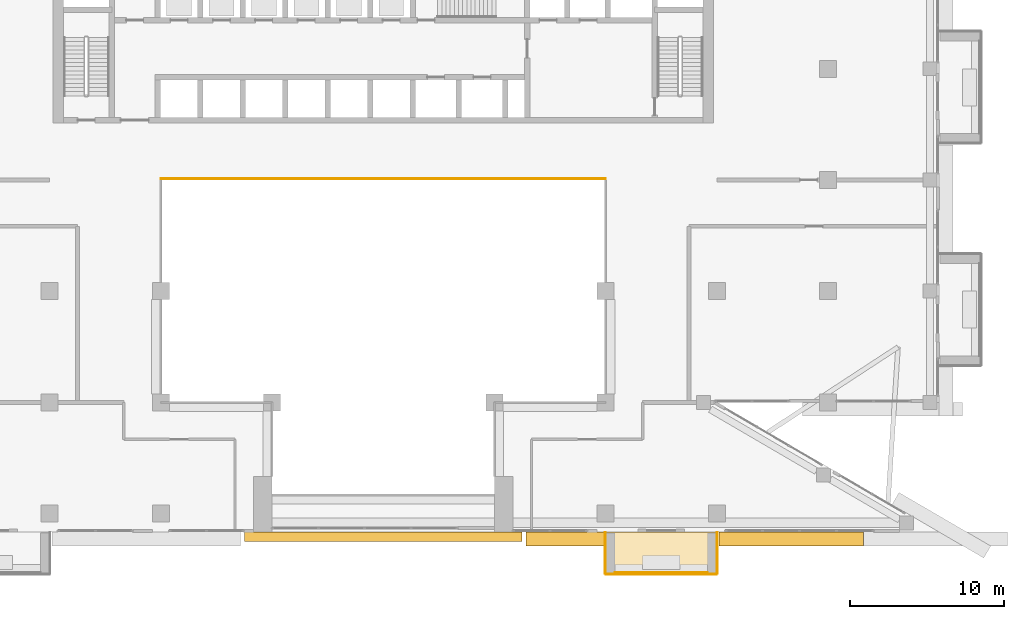
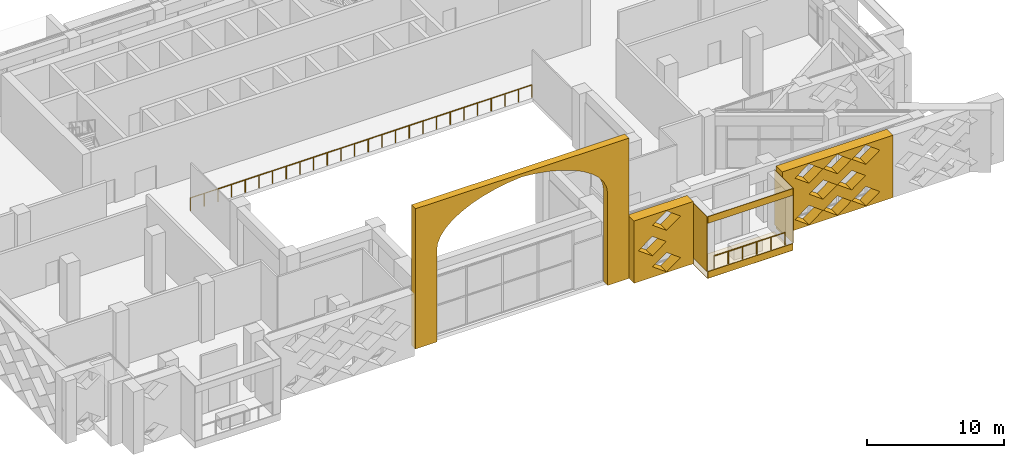
# One storey, part 20 of 25: 8 coverings, 2 railings.
"""IFC4 building model written with IfcOpenShell, lengths in metres."""

import ifcopenshell
import ifcopenshell.guid

model = None  # the IFC model being written
_history = None  # IfcOwnerHistory: only IFC2X3 demands one
_inside = {}  # id of a spatial element -> (the spatial element, [elements in it])
_under = {}  # id of a project, library or spatial element -> (it, [spatial elements below it])
_declared = {}  # id of a project -> (the project, [libraries it declares])
_typed = {}  # id of a type object -> (the type object, [elements of that type])
_made_of = {}  # id of a material, layer set ... -> (it, [elements and type objects made of it])


def new_model(schema):
    """Start an empty IFC model of exactly this schema.

    Asked for "IFC4X3", IfcOpenShell would pick the latest addendum, in which some entities
    have other attributes; the version numbers below select the first issue.
    IFC2X3 requires an IfcOwnerHistory on every rooted entity: one is made here for all.
    """
    global model, _history
    if schema == "IFC4X3":
        model = ifcopenshell.file(schema_version=(4, 3, 0, 0))
    else:
        model = ifcopenshell.file(schema=schema)
    _inside.clear()
    _under.clear()
    _declared.clear()
    _typed.clear()
    _made_of.clear()
    _history = None
    if model.schema == "IFC2X3":
        org = make("IfcOrganization", Name="unknown")
        user = make(
            "IfcPersonAndOrganization",
            ThePerson=make("IfcPerson", FamilyName="unknown"),
            TheOrganization=org,
        )
        app = make(
            "IfcApplication",
            ApplicationDeveloper=org,
            Version="unknown",
            ApplicationFullName="unknown",
            ApplicationIdentifier="unknown",
        )
        _history = make(
            "IfcOwnerHistory",
            OwningUser=user,
            OwningApplication=app,
            ChangeAction="ADDED",
            CreationDate=0,
        )
    return model


def make(cls, **values):
    """One entity of the class cls with the attributes given. An attribute that is None is left unset."""
    return model.create_entity(
        cls, **{name: value for name, value in values.items() if value is not None}
    )


def rooted(cls, **values):
    """An entity with a GlobalId (a new one), such as an element, a storey or a relation."""
    return make(cls, GlobalId=ifcopenshell.guid.new(), OwnerHistory=_history, **values)


def si_unit(unit_type, name, prefix=None):
    """IfcSIUnit, for example si_unit("LENGTHUNIT", "METRE", prefix="MILLI")."""
    return make("IfcSIUnit", UnitType=unit_type, Prefix=prefix, Name=name)


def assignment(units):
    """IfcUnitAssignment: the units of a project."""
    return None if units is None else make("IfcUnitAssignment", Units=units)


def point(xyz):
    """IfcCartesianPoint."""
    return None if xyz is None else make("IfcCartesianPoint", Coordinates=xyz)


def direction(xyz):
    """IfcDirection."""
    return None if xyz is None else make("IfcDirection", DirectionRatios=xyz)


def frame(location, z_axis=None, x_axis=None):
    """IfcAxis2Placement3D, a coordinate frame: its origin and axes. An axis left out is left unset."""
    return make(
        "IfcAxis2Placement3D",
        Location=point(location),
        Axis=direction(z_axis),
        RefDirection=direction(x_axis),
    )


def frame_2d(location, x_axis=None):
    """IfcAxis2Placement2D, a coordinate frame in the plane: its origin and x axis."""
    return make(
        "IfcAxis2Placement2D", Location=point(location), RefDirection=direction(x_axis)
    )


def origin():
    """The frame at (0, 0, 0) with its axes left unset."""
    return frame((0.0, 0.0, 0.0))


def origin_2d():
    """The frame at (0, 0) in the plane with its x axis left unset."""
    return frame_2d((0.0, 0.0))


def place(relative_to, where):
    """IfcLocalPlacement: puts the frame where relative to a parent placement (None: the world)."""
    return make(
        "IfcLocalPlacement", PlacementRelTo=relative_to, RelativePlacement=where
    )


def context(
    kind, dimensions, precision=None, world=None, true_north=None, identifier=None
):
    """IfcGeometricRepresentationContext, for example the 3D "Model" context."""
    return make(
        "IfcGeometricRepresentationContext",
        ContextIdentifier=identifier,
        ContextType=kind,
        CoordinateSpaceDimension=dimensions,
        Precision=precision,
        WorldCoordinateSystem=world,
        TrueNorth=true_north,
    )


def subcontext(parent, identifier, kind, view, scale=None):
    """IfcGeometricRepresentationSubContext, for example "Body" below "Model"."""
    return make(
        "IfcGeometricRepresentationSubContext",
        ContextIdentifier=identifier,
        ContextType=kind,
        ParentContext=parent,
        TargetScale=scale,
        TargetView=view,
    )


def project(units=None, contexts=None):
    """IfcProject with its units and contexts."""
    return rooted(
        "IfcProject",
        Name="project",
        RepresentationContexts=contexts,
        UnitsInContext=assignment(units),
    )


def spatial(cls, under=None, at=None, **own):
    """A site, building, storey or space (cls), placed at a placement, below another one or the project."""
    s = rooted(cls, ObjectPlacement=at, **own)
    if under is not None:
        _under.setdefault(under.id(), (under, []))[1].append(s)
    return s


def polyline(points):
    """IfcPolyline through the points."""
    return make("IfcPolyline", Points=[point(p) for p in points])


def profile(cls, at=None, kind="AREA", **sizes):
    """A parametric profile (cls). Its sizes go by their IFC names, for example OverallWidth=200.0."""
    return make(cls, ProfileType=kind, Position=at, **sizes)


def circle(**sizes):
    """IfcCircleProfileDef."""
    return profile("IfcCircleProfileDef", **sizes)


def outline(outer, holes=None, kind="AREA"):
    """IfcArbitraryClosedProfileDef: a profile drawn as a closed curve; with holes, ...WithVoids."""
    if holes is None:
        return make("IfcArbitraryClosedProfileDef", ProfileType=kind, OuterCurve=outer)
    return make(
        "IfcArbitraryProfileDefWithVoids",
        ProfileType=kind,
        OuterCurve=outer,
        InnerCurves=holes,
    )


def extrude(swept, where, along, depth):
    """IfcExtrudedAreaSolid: the profile swept, set in the frame where, extruded along a direction by depth."""
    return make(
        "IfcExtrudedAreaSolid",
        SweptArea=swept,
        Position=where,
        ExtrudedDirection=direction(along),
        Depth=depth,
    )


def shape(context_of_items, identifier, shape_type, items):
    """IfcShapeRepresentation: the items that make up one representation, for example the "Body"."""
    return make(
        "IfcShapeRepresentation",
        ContextOfItems=context_of_items,
        RepresentationIdentifier=identifier,
        RepresentationType=shape_type,
        Items=items,
    )


def material(Name=None, Category=None):
    """IfcMaterial."""
    return make("IfcMaterial", Name=Name, Category=Category)


def layer(
    of_material, thickness, ventilated=None, Name=None, Category=None, Priority=None
):
    """IfcMaterialLayer: one layer of a wall or slab, of a material (None: an air gap)."""
    return make(
        "IfcMaterialLayer",
        Material=of_material,
        LayerThickness=thickness,
        IsVentilated=ventilated,
        Name=Name,
        Category=Category,
        Priority=Priority,
    )


def layer_set(layers, Name=None):
    """IfcMaterialLayerSet."""
    return make("IfcMaterialLayerSet", MaterialLayers=layers, LayerSetName=Name)


def made_of(thing, what):
    """Note that an element or type object is made of a material, layer set ...; save() writes the relation."""
    if what is not None:
        _made_of.setdefault(what.id(), (what, []))[1].append(thing)
    return thing


def type_object(cls, material=None, **own):
    """A type object (cls), such as IfcWallType, which elements share."""
    return made_of(rooted(cls, **own), material)


def element(
    cls,
    number,
    at=None,
    inside=None,
    cuts=None,
    type_object=None,
    material=None,
    context=None,
    identifier="Body",
    shape_type=None,
    held_by="IfcProductDefinitionShape",
    body=None,
    shapes=None,
    **own,
):
    """One element of the class cls, such as IfcWall. Its Tag is "e" and its number.

    at: its placement. inside: the storey or other place that contains it. cuts: it is an
    opening in that element (IfcRelVoidsElement). A single representation is given by context,
    identifier, shape_type and body (its items); several are given by shapes. held_by: the class
    of the entity that holds the representations. save() writes the other relations.
    """
    e = rooted(cls, Tag="e%d" % number, ObjectPlacement=at, **own)
    if body is not None:
        shapes = [shape(context, identifier, shape_type, body)]
    if shapes is not None:
        e.Representation = make(held_by, Representations=shapes)
    if inside is not None:
        _inside.setdefault(inside.id(), (inside, []))[1].append(e)
    if cuts is not None:
        rooted(
            "IfcRelVoidsElement", RelatingBuildingElement=cuts, RelatedOpeningElement=e
        )
    if type_object is not None:
        _typed.setdefault(type_object.id(), (type_object, []))[1].append(e)
    return made_of(e, material)


def aggregate(whole, parts):
    """IfcRelAggregates: a whole, such as a stair, and the parts it consists of."""
    return rooted("IfcRelAggregates", RelatingObject=whole, RelatedObjects=parts)


def save(model, path):
    """Write the relations noted so far, then the file.

    IfcRelAggregates (storeys below a building ...), IfcRelContainedInSpatialStructure (elements
    in a storey), IfcRelDefinesByType, IfcRelAssociatesMaterial and IfcRelDeclares: one each for
    every whole, place, type object, material and project.
    """
    for whole, parts in _under.values():
        aggregate(whole, parts)
    for where, things in _inside.values():
        rooted(
            "IfcRelContainedInSpatialStructure",
            RelatedElements=things,
            RelatingStructure=where,
        )
    for kind, things in _typed.values():
        rooted("IfcRelDefinesByType", RelatedObjects=things, RelatingType=kind)
    for what, things in _made_of.values():
        rooted("IfcRelAssociatesMaterial", RelatedObjects=things, RelatingMaterial=what)
    for by, libraries in _declared.values():
        rooted("IfcRelDeclares", RelatingContext=by, RelatedDefinitions=libraries)
    model.write(path)


model = new_model("IFC4")

# Units and contexts
model_context = context("Model", 3, precision=1e-05, world=origin(), true_north=direction((0.0, 1.0)))
body_context = subcontext(model_context, "Body", "Model", "MODEL_VIEW")
ifc_project = project(units=[si_unit("LENGTHUNIT", "METRE"), si_unit("AREAUNIT", "SQUARE_METRE"), si_unit("VOLUMEUNIT", "CUBIC_METRE"), si_unit("PLANEANGLEUNIT", "RADIAN"), si_unit("MASSUNIT", "GRAM", prefix="KILO")], contexts=[model_context])

# Site, building, storey
site_placement = place(None, origin())
site = spatial("IfcSite", under=ifc_project, at=site_placement, CompositionType="ELEMENT")
building_placement = place(site_placement, origin())
building = spatial("IfcBuilding", under=site, at=building_placement, Name="Saffron Iwan Residences", CompositionType="ELEMENT")
storey_placement = place(building_placement, frame((0.0, 0.0, 137.5)))
storey = spatial("IfcBuildingStorey", under=building, at=storey_placement, Name="L36", CompositionType="ELEMENT", Elevation=137.5)

# Railings
ifc_material_1 = material(Name="Stainless steel 316", Category="steel")
railing_type_1 = type_object("IfcRailingType", Name="Atrium guard 1150", PredefinedType="GUARDRAIL", material=ifc_material_1)
railing_1_placement = place(storey_placement, frame((36.0, 62.47509765625, 0.0)))
element("IfcRailing", 1, at=railing_1_placement, inside=storey, type_object=railing_type_1, Name="Atrium guard L36", PredefinedType="GUARDRAIL", context=body_context, shape_type="SweptSolid", body=[
    extrude(circle(Radius=0.02392578125, at=origin_2d()), frame((0.0, 0.0, 1.1259765625), z_axis=(1.0, 0.0, 0.0), x_axis=(0.0, 1.0, 0.0)), (0.0, 0.0, 1.0), 28.800048828125),
    extrude(circle(Radius=0.02099609375, at=origin_2d()), origin(), (0.0, 0.0, 1.0), 1.101806640625),
    extrude(circle(Radius=0.02099609375, at=origin_2d()), frame((1.152099609375, 0.0, 0.0)), (0.0, 0.0, 1.0), 1.101806640625),
    extrude(circle(Radius=0.02099609375, at=origin_2d()), frame((2.303955078125, 0.0, 0.0)), (0.0, 0.0, 1.0), 1.101806640625),
    extrude(circle(Radius=0.02099609375, at=origin_2d()), frame((3.4560546875, 0.0, 0.0)), (0.0, 0.0, 1.0), 1.101806640625),
    extrude(circle(Radius=0.02099609375, at=origin_2d()), frame((4.60791015625, 0.0, 0.0)), (0.0, 0.0, 1.0), 1.101806640625),
    extrude(circle(Radius=0.02099609375, at=origin_2d()), frame((5.760009765625, 0.0, 0.0)), (0.0, 0.0, 1.0), 1.101806640625),
    extrude(circle(Radius=0.02099609375, at=origin_2d()), frame((6.912109375, 0.0, 0.0)), (0.0, 0.0, 1.0), 1.101806640625),
    extrude(circle(Radius=0.02099609375, at=origin_2d()), frame((8.06396484375, 0.0, 0.0)), (0.0, 0.0, 1.0), 1.101806640625),
    extrude(circle(Radius=0.02099609375, at=origin_2d()), frame((9.216064453125, 0.0, 0.0)), (0.0, 0.0, 1.0), 1.101806640625),
    extrude(circle(Radius=0.02099609375, at=origin_2d()), frame((10.367919921875, 0.0, 0.0)), (0.0, 0.0, 1.0), 1.101806640625),
    extrude(circle(Radius=0.02099609375, at=origin_2d()), frame((11.52001953125, 0.0, 0.0)), (0.0, 0.0, 1.0), 1.101806640625),
    extrude(circle(Radius=0.02099609375, at=origin_2d()), frame((12.672119140625, 0.0, 0.0)), (0.0, 0.0, 1.0), 1.101806640625),
    extrude(circle(Radius=0.02099609375, at=origin_2d()), frame((13.823974609375, 0.0, 0.0)), (0.0, 0.0, 1.0), 1.101806640625),
    extrude(circle(Radius=0.02099609375, at=origin_2d()), frame((14.97607421875, 0.0, 0.0)), (0.0, 0.0, 1.0), 1.101806640625),
    extrude(circle(Radius=0.02099609375, at=origin_2d()), frame((16.1279296875, 0.0, 0.0)), (0.0, 0.0, 1.0), 1.101806640625),
    extrude(circle(Radius=0.02099609375, at=origin_2d()), frame((17.280029296875, 0.0, 0.0)), (0.0, 0.0, 1.0), 1.101806640625),
    extrude(circle(Radius=0.02099609375, at=origin_2d()), frame((18.43212890625, 0.0, 0.0)), (0.0, 0.0, 1.0), 1.101806640625),
    extrude(circle(Radius=0.02099609375, at=origin_2d()), frame((19.583984375, 0.0, 0.0)), (0.0, 0.0, 1.0), 1.101806640625),
    extrude(circle(Radius=0.02099609375, at=origin_2d()), frame((20.736083984375, 0.0, 0.0)), (0.0, 0.0, 1.0), 1.101806640625),
    extrude(circle(Radius=0.02099609375, at=origin_2d()), frame((21.887939453125, 0.0, 0.0)), (0.0, 0.0, 1.0), 1.101806640625),
    extrude(circle(Radius=0.02099609375, at=origin_2d()), frame((23.0400390625, 0.0, 0.0)), (0.0, 0.0, 1.0), 1.101806640625),
    extrude(circle(Radius=0.02099609375, at=origin_2d()), frame((24.192138671875, 0.0, 0.0)), (0.0, 0.0, 1.0), 1.101806640625),
    extrude(circle(Radius=0.02099609375, at=origin_2d()), frame((25.343994140625, 0.0, 0.0)), (0.0, 0.0, 1.0), 1.101806640625),
    extrude(circle(Radius=0.02099609375, at=origin_2d()), frame((26.49609375, 0.0, 0.0)), (0.0, 0.0, 1.0), 1.101806640625),
    extrude(circle(Radius=0.02099609375, at=origin_2d()), frame((27.64794921875, 0.0, 0.0)), (0.0, 0.0, 1.0), 1.101806640625),
    extrude(circle(Radius=0.02099609375, at=origin_2d()), frame((28.800048828125, 0.0, 0.0)), (0.0, 0.0, 1.0), 1.101806640625),
])
railing_type_2 = type_object("IfcRailingType", Name="BALCONY GUARD 1150", PredefinedType="GUARDRAIL", material=ifc_material_1)
railing_2_placement = place(storey_placement, frame((65.39990234375, 36.97509765625, 0.0)))
element("IfcRailing", 2, at=railing_2_placement, inside=storey, type_object=railing_type_2, Name="Balcony guard L36 11-1", PredefinedType="GUARDRAIL", context=body_context, shape_type="SweptSolid", body=[
    extrude(circle(Radius=0.02392578125, at=origin_2d()), frame((0.0, 0.0, 1.1259765625), z_axis=(1.0, 0.0, 0.0), x_axis=(0.0, 1.0, 0.0)), (0.0, 0.0, 1.0), 6.0),
    extrude(circle(Radius=0.02099609375, at=origin_2d()), origin(), (0.0, 0.0, 1.0), 1.101806640625),
    extrude(circle(Radius=0.02099609375, at=origin_2d()), frame((1.199951171875, 0.0, 0.0)), (0.0, 0.0, 1.0), 1.101806640625),
    extrude(circle(Radius=0.02099609375, at=origin_2d()), frame((2.39990234375, 0.0, 0.0)), (0.0, 0.0, 1.0), 1.101806640625),
    extrude(circle(Radius=0.02099609375, at=origin_2d()), frame((3.60009765625, 0.0, 0.0)), (0.0, 0.0, 1.0), 1.101806640625),
    extrude(circle(Radius=0.02099609375, at=origin_2d()), frame((4.800048828125, 0.0, 0.0)), (0.0, 0.0, 1.0), 1.101806640625),
    extrude(circle(Radius=0.02099609375, at=origin_2d()), frame((6.0, 0.0, 0.0)), (0.0, 0.0, 1.0), 1.101806640625),
])

# Coverings
ifc_material_2 = material(Name="Precast concrete C40/50 white painted", Category="concrete")
ifc_layer_1 = layer(ifc_material_2, 0.050048828125)
ifc_layer_set_1 = layer_set([ifc_layer_1], Name="Precast concrete C40/50 white painted")
covering_type_1 = type_object("IfcCoveringType", Name="FRAME SKIN PRECAST WHITE 50", PredefinedType="CLADDING", material=ifc_layer_set_1)
covering_1_placement = place(storey_placement, frame((0.0, 0.0, -0.60009765625)))
element("IfcCovering", 3, at=covering_1_placement, inside=storey, type_object=covering_type_1, Name="Frame skin slab edge L36 11-1", PredefinedType="CLADDING", context=body_context, shape_type="SweptSolid", body=[
    extrude(outline(polyline([(64.800048828125, 36.85009765625), (72.0, 36.85009765625), (72.0, 36.89990234375), (64.800048828125, 36.89990234375), (64.800048828125, 36.85009765625)])), origin(), (0.0, 0.0, 1.0), 0.60009765625),
])
covering_2_placement = place(storey_placement, frame((0.0, 0.0, 4.300048828125)))
element("IfcCovering", 4, at=covering_2_placement, inside=storey, type_object=covering_type_1, Name="Frame skin fascia L36 11-1", PredefinedType="CLADDING", context=body_context, shape_type="SweptSolid", body=[
    extrude(outline(polyline([(64.800048828125, 36.85009765625), (72.0, 36.85009765625), (72.0, 36.89990234375), (64.800048828125, 36.89990234375), (64.800048828125, 36.85009765625)])), origin(), (0.0, 0.0, 1.0), 0.599853515625),
])
covering_3_placement = place(storey_placement, frame((0.0, 0.0, -0.64990234375)))
element("IfcCovering", 5, at=covering_3_placement, inside=storey, type_object=covering_type_1, Name="Frame skin soffit L36 11-1", PredefinedType="CLADDING", context=body_context, shape_type="SweptSolid", body=[
    extrude(outline(polyline([(64.800048828125, 36.89990234375), (72.0, 36.89990234375), (72.0, 39.60009765625), (64.800048828125, 39.60009765625), (64.800048828125, 36.89990234375)])), origin(), (0.0, 0.0, 1.0), 0.0498046875),
])
covering_4_placement = place(storey_placement, origin())
element("IfcCovering", 6, at=covering_4_placement, inside=storey, type_object=covering_type_1, Name="Frame skin fin L36 11-1a", PredefinedType="CLADDING", context=body_context, shape_type="SweptSolid", body=[
    extrude(outline(polyline([(64.75, 36.89990234375), (64.800048828125, 36.89990234375), (64.800048828125, 39.60009765625), (64.75, 39.60009765625), (64.75, 36.89990234375)])), origin(), (0.0, 0.0, 1.0), 4.89990234375),
])
covering_5_placement = place(storey_placement, origin())
element("IfcCovering", 7, at=covering_5_placement, inside=storey, type_object=covering_type_1, Name="Frame skin fin L36 11-1b", PredefinedType="CLADDING", context=body_context, shape_type="SweptSolid", body=[
    extrude(outline(polyline([(72.0, 36.89990234375), (72.050048828125, 36.89990234375), (72.050048828125, 39.60009765625), (72.0, 39.60009765625), (72.0, 36.89990234375)])), origin(), (0.0, 0.0, 1.0), 4.89990234375),
])
ifc_material_3 = material(Name="Precast concrete C40/50", Category="concrete")
covering_type_2 = type_object("IfcCoveringType", Name="OUTER SKIN LATTICE SCREEN", PredefinedType="CLADDING", material=ifc_material_3)
covering_6_placement = place(storey_placement, frame((59.64990234375, 39.60009765625, -0.35009765625), z_axis=(0.0, -1.0, 0.0), x_axis=(1.0, 0.0, 0.0)))
element("IfcCovering", 8, at=covering_6_placement, inside=storey, type_object=covering_type_2, Name="OUTER SKIN lattice screen L36 F11.2", PredefinedType="CLADDING", context=body_context, shape_type="SweptSolid", body=[
    extrude(outline(polyline([(0.0, 0.0), (5.0, 0.0), (5.0, 5.550048828125), (0.0, 5.550048828125), (0.0, 0.0)]), holes=[polyline([(1.570068359375, 0.925048828125), (2.75, 0.06005859375), (3.929931640625, 0.925048828125), (2.75, 1.7900390625), (1.570068359375, 0.925048828125)]), polyline([(0.3701171875, 2.77490234375), (1.550048828125, 1.909912109375), (2.72998046875, 2.77490234375), (1.550048828125, 3.639892578125), (0.3701171875, 2.77490234375)]), polyline([(1.570068359375, 4.625), (2.75, 3.760009765625), (3.929931640625, 4.625), (2.75, 5.489990234375), (1.570068359375, 4.625)])]), origin(), (0.0, 0.0, 1.0), 0.900146484375),
])
covering_7_placement = place(storey_placement, frame((72.14990234375, 39.60009765625, -0.35009765625), z_axis=(0.0, -1.0, 0.0), x_axis=(1.0, 0.0, 0.0)))
element("IfcCovering", 9, at=covering_7_placement, inside=storey, type_object=covering_type_2, Name="OUTER SKIN lattice screen L36 F11.3", PredefinedType="CLADDING", context=body_context, shape_type="SweptSolid", body=[
    extrude(outline(polyline([(0.0, 0.0), (9.34423828125, 0.0), (9.34423828125, 5.550048828125), (0.0, 5.550048828125), (0.0, 0.0)]), holes=[polyline([(1.070068359375, 0.925048828125), (2.25, 0.06005859375), (3.429931640625, 0.925048828125), (2.25, 1.7900390625), (1.070068359375, 0.925048828125)]), polyline([(3.469970703125, 0.925048828125), (4.64990234375, 0.06005859375), (5.830078125, 0.925048828125), (4.64990234375, 1.7900390625), (3.469970703125, 0.925048828125)]), polyline([(5.8701171875, 0.925048828125), (7.050048828125, 0.06005859375), (8.22998046875, 0.925048828125), (7.050048828125, 1.7900390625), (5.8701171875, 0.925048828125)]), polyline([(2.27001953125, 2.77490234375), (3.449951171875, 1.909912109375), (4.6298828125, 2.77490234375), (3.449951171875, 3.639892578125), (2.27001953125, 2.77490234375)]), polyline([(4.669921875, 2.77490234375), (5.85009765625, 1.909912109375), (7.030029296875, 2.77490234375), (5.85009765625, 3.639892578125), (4.669921875, 2.77490234375)]), polyline([(1.070068359375, 4.625), (2.25, 3.760009765625), (3.429931640625, 4.625), (2.25, 5.489990234375), (1.070068359375, 4.625)]), polyline([(3.469970703125, 4.625), (4.64990234375, 3.760009765625), (5.830078125, 4.625), (4.64990234375, 5.489990234375), (3.469970703125, 4.625)]), polyline([(5.8701171875, 4.625), (7.050048828125, 3.760009765625), (8.22998046875, 4.625), (7.050048828125, 5.489990234375), (5.8701171875, 4.625)])]), origin(), (0.0, 0.0, 1.0), 0.900146484375),
])
ifc_material_4 = material(Name="Terracotta screen, precast concrete C40/50", Category="masonry")
ifc_layer_2 = layer(ifc_material_4, 0.60009765625)
ifc_layer_set_2 = layer_set([ifc_layer_2], Name="Terracotta screen, precast concrete C40/50")
covering_type_3 = type_object("IfcCoveringType", Name="Portal arch, precast concrete (tower)", PredefinedType="CLADDING", material=ifc_layer_set_2)
covering_8_placement = place(storey_placement, frame((41.39990234375, 39.60009765625, 0.0), z_axis=(0.0, 1.0, 0.0), x_axis=(0.0, 0.0, 1.0)))
element("IfcCovering", 10, at=covering_8_placement, inside=storey, type_object=covering_type_3, Name="PORTAL ARCH L36-L38", PredefinedType="CLADDING", context=body_context, shape_type="SweptSolid", body=[
    extrude(outline(polyline([(0.0, 0.0), (12.5, 0.0), (12.5, 18.0), (0.0, 18.0), (0.0, 16.2001953125), (8.203125, 16.2001953125), (8.783203125, 16.114013671875), (9.35107421875, 15.859130859375), (9.89501953125, 15.439208984375), (10.40380859375, 14.864013671875), (10.8671875, 14.14501953125), (11.275390625, 13.297119140625), (11.61962890625, 12.337158203125), (11.8935546875, 11.287109375), (12.09033203125, 10.1669921875), (12.20703125, 9.0), (12.09033203125, 7.8330078125), (11.8935546875, 6.713134765625), (11.61962890625, 5.6630859375), (11.275390625, 4.703125), (10.8671875, 3.85498046875), (10.40380859375, 3.135986328125), (9.89501953125, 2.56103515625), (9.35107421875, 2.14111328125), (8.783203125, 1.885986328125), (8.203125, 1.800048828125), (0.0, 1.800048828125), (0.0, 0.0)])), origin(), (0.0, 0.0, -1.0), 0.60009765625),
])

save(model, "model.ifc")
